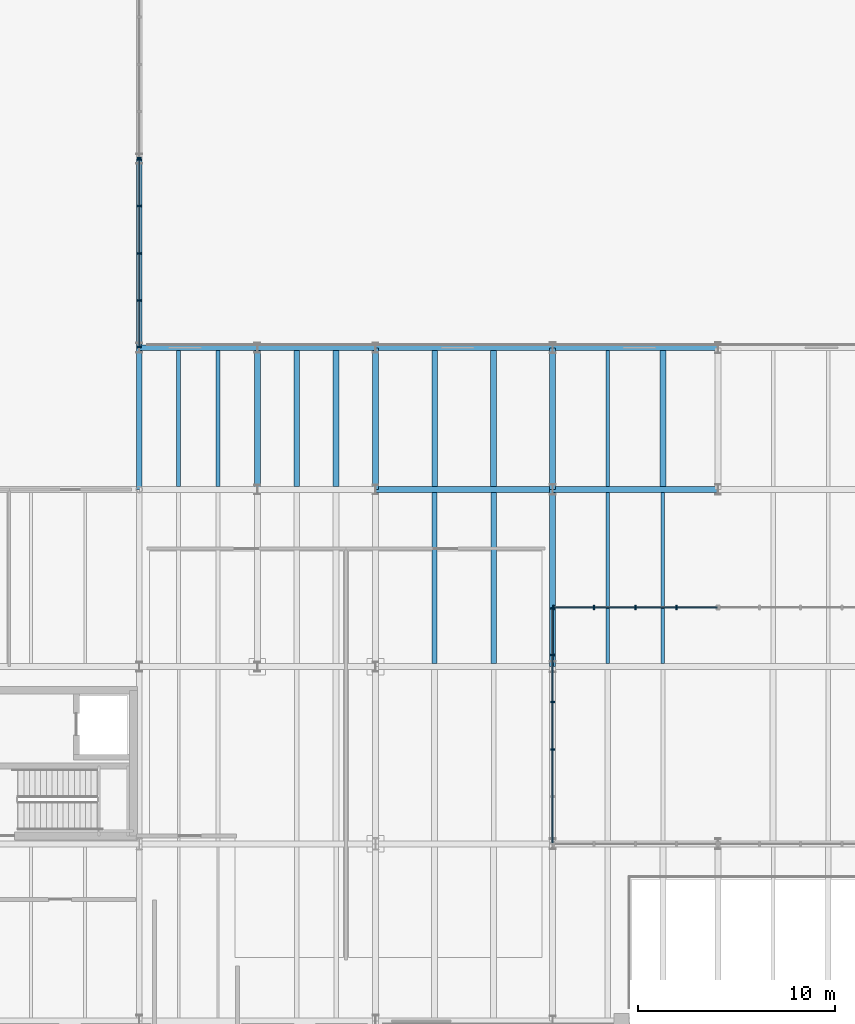
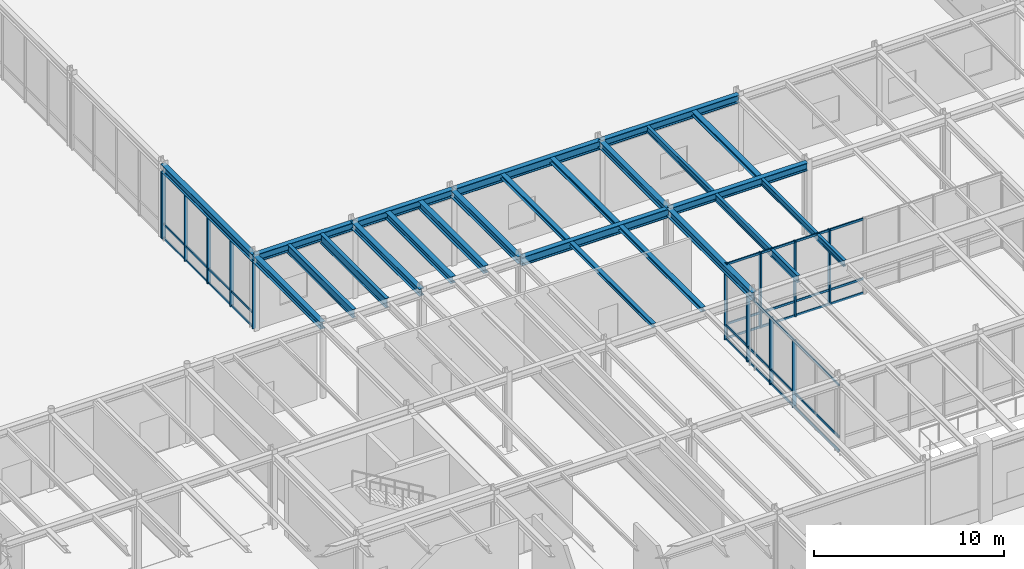
# One storey, part 22 of 64: 24 beams, 23 members, 4 elements without a shape of their own.
"""IFC4 building model written with IfcOpenShell, lengths in metres."""

from ifc_helpers import new_model, si_unit, direction, frame, origin, origin_2d, place, context, subcontext, project, spatial, rectangle, i_section, extrude, material, layer, layer_set, material_profile, profile_set, type_object, element, aggregate, save


model = new_model("IFC4")

# Units and contexts
model_context = context("Model", 3, precision=1e-05, world=origin(), true_north=direction((0.0, 1.0)))
body_context = subcontext(model_context, "Body", "Model", "MODEL_VIEW")
ifc_project = project(units=[si_unit("LENGTHUNIT", "METRE"), si_unit("AREAUNIT", "SQUARE_METRE"), si_unit("VOLUMEUNIT", "CUBIC_METRE"), si_unit("PLANEANGLEUNIT", "RADIAN"), si_unit("MASSUNIT", "GRAM", prefix="KILO")], contexts=[model_context])

# Site, building, storey
site_placement = place(None, origin())
site = spatial("IfcSite", under=ifc_project, at=site_placement, CompositionType="ELEMENT")
building_placement = place(site_placement, origin())
building = spatial("IfcBuilding", under=site, at=building_placement, Name="Montealbar Specialist Clinic", CompositionType="ELEMENT")
storey_placement = place(building_placement, origin())
storey = spatial("IfcBuildingStorey", under=building, at=storey_placement, Name="L00", CompositionType="ELEMENT", Elevation=0.0)

# Beams
ifc_material_1 = material(Name="Steel S355", Category="steel")
ifc_material_profile_1 = material_profile(ifc_material_1, i_section(OverallWidth=0.300048828125, OverallDepth=0.449951171875, WebThickness=0.013916015625, FlangeThickness=0.02587890625, FilletRadius=0.027099609375, at=origin_2d()), Name="HEB 450", Category="steel")
ifc_profile_set_1 = profile_set([ifc_material_profile_1], Name="Steel S355")
beam_type_1 = type_object("IfcBeamType", Name="BM-GIRD-HEB450", PredefinedType="BEAM", material=ifc_profile_set_1)
beam_1_placement = place(storey_placement, frame((120.0, 45.0, 4.5849609375), z_axis=(0.0, 1.0, 0.0), x_axis=(-1.0, 0.0, 0.0)))
element("IfcBeam", 1, at=beam_1_placement, inside=storey, type_object=beam_type_1, Name="Beam GY-L00-1200-450-522", PredefinedType="BEAM", context=body_context, shape_type="SweptSolid", body=[
    extrude(i_section(OverallWidth=0.300048828125, OverallDepth=0.449951171875, WebThickness=0.013916015625, FlangeThickness=0.02587890625, FilletRadius=0.027099609375, at=origin_2d()), origin(), (0.0, 0.0, 1.0), 7.199951171875),
])
ifc_material_profile_2 = material_profile(ifc_material_1, i_section(OverallWidth=0.300048828125, OverallDepth=0.449951171875, WebThickness=0.013916015625, FlangeThickness=0.02587890625, FilletRadius=0.027099609375, at=origin_2d()), Name="HEB 450", Category="steel")
ifc_profile_set_2 = profile_set([ifc_material_profile_2], Name="Steel S355")
beam_type_2 = type_object("IfcBeamType", Name="BM-GIRD-HEB450-EXT", PredefinedType="BEAM", material=ifc_profile_set_2)
for number, where, z_axis, x_axis, name in (
    (2, (99.0, 45.0, 4.5849609375), (0.0, 1.0, 0.0), (-1.0, 0.0, 0.0), "Beam GY-L00-990-450-522"),
    (3, (105.0, 45.0, 4.60498046875), (0.0, 1.0, 0.0), (-1.0, 0.0, 0.0), "Beam GY-L00-1050-450-522"),
    (4, (111.0, 45.0, 4.5849609375), (0.0, 1.0, 0.0), (-1.0, 0.0, 0.0), "Beam GY-L00-1110-450-522"),
):
    element("IfcBeam", number, at=place(storey_placement, frame(where, z_axis=z_axis, x_axis=x_axis)), inside=storey, type_object=beam_type_2, Name=name, PredefinedType="BEAM", context=body_context, shape_type="SweptSolid", body=[
        extrude(i_section(OverallWidth=0.300048828125, OverallDepth=0.449951171875, WebThickness=0.013916015625, FlangeThickness=0.02587890625, FilletRadius=0.027099609375, at=origin_2d()), origin(), (0.0, 0.0, 1.0), 7.199951171875),
    ])
ifc_material_profile_3 = material_profile(ifc_material_1, i_section(OverallWidth=0.300048828125, OverallDepth=0.5, WebThickness=0.014404296875, FlangeThickness=0.028076171875, FilletRadius=0.027099609375, at=origin_2d()), Name="HEB 500", Category="steel")
ifc_profile_set_3 = profile_set([ifc_material_profile_3], Name="Steel S355")
beam_type_3 = type_object("IfcBeamType", Name="BM-GIRD-HEB500", PredefinedType="BEAM", material=ifc_profile_set_3)
beam_2_placement = place(storey_placement, frame((120.0, 45.0, 4.56005859375), z_axis=(1.0, 0.0, 0.0), x_axis=(0.0, 1.0, 0.0)))
element("IfcBeam", 5, at=beam_2_placement, inside=storey, type_object=beam_type_3, Name="Beam GX-L00-1200-1284-450", PredefinedType="BEAM", context=body_context, shape_type="SweptSolid", body=[
    extrude(i_section(OverallWidth=0.300048828125, OverallDepth=0.5, WebThickness=0.014404296875, FlangeThickness=0.028076171875, FilletRadius=0.027099609375, at=origin_2d()), origin(), (0.0, 0.0, 1.0), 8.39990234375),
])
ifc_material_profile_4 = material_profile(ifc_material_1, i_section(OverallWidth=0.300048828125, OverallDepth=0.5, WebThickness=0.014404296875, FlangeThickness=0.028076171875, FilletRadius=0.027099609375, at=origin_2d()), Name="HEB 500", Category="steel")
ifc_profile_set_4 = profile_set([ifc_material_profile_4], Name="Steel S355")
beam_type_4 = type_object("IfcBeamType", Name="BM-GIRD-HEB500-EXT", PredefinedType="BEAM", material=ifc_profile_set_4)
for number, where, z_axis, x_axis, name in (
    (6, (99.0, 52.199951171875, 4.56005859375), (1.0, 0.0, 0.0), (0.0, 1.0, 0.0), "Beam GX-L00-990-1050-522"),
    (7, (105.0, 52.199951171875, 4.56005859375), (1.0, 0.0, 0.0), (0.0, 1.0, 0.0), "Beam GX-L00-1050-1110-522"),
):
    element("IfcBeam", number, at=place(storey_placement, frame(where, z_axis=z_axis, x_axis=x_axis)), inside=storey, type_object=beam_type_4, Name=name, PredefinedType="BEAM", context=body_context, shape_type="SweptSolid", body=[
        extrude(i_section(OverallWidth=0.300048828125, OverallDepth=0.5, WebThickness=0.014404296875, FlangeThickness=0.028076171875, FilletRadius=0.027099609375, at=origin_2d()), origin(), (0.0, 0.0, 1.0), 6.0),
    ])
beam_3_placement = place(storey_placement, frame((120.0, 52.199951171875, 4.56005859375), z_axis=(1.0, 0.0, 0.0), x_axis=(0.0, 1.0, 0.0)))
element("IfcBeam", 8, at=beam_3_placement, inside=storey, type_object=beam_type_4, Name="Beam GX-L00-1200-1284-522", PredefinedType="BEAM", context=body_context, shape_type="SweptSolid", body=[
    extrude(i_section(OverallWidth=0.300048828125, OverallDepth=0.5, WebThickness=0.014404296875, FlangeThickness=0.028076171875, FilletRadius=0.027099609375, at=origin_2d()), origin(), (0.0, 0.0, 1.0), 8.39990234375),
])
beam_4_placement = place(storey_placement, frame((99.0, 52.199951171875, 4.56005859375), z_axis=(0.0, 1.0, 0.0), x_axis=(-1.0, 0.0, 0.0)))
element("IfcBeam", 9, at=beam_4_placement, inside=storey, type_object=beam_type_4, Name="Beam GY-L00-990-522-618", PredefinedType="BEAM", context=body_context, shape_type="SweptSolid", body=[
    extrude(i_section(OverallWidth=0.300048828125, OverallDepth=0.5, WebThickness=0.014404296875, FlangeThickness=0.028076171875, FilletRadius=0.027099609375, at=origin_2d()), origin(), (0.0, 0.0, 1.0), 9.60009765625),
])
beam_5_placement = place(storey_placement, frame((120.0, 36.0, 4.56005859375), z_axis=(0.0, 1.0, 0.0), x_axis=(-1.0, 0.0, 0.0)))
element("IfcBeam", 10, at=beam_5_placement, inside=storey, type_object=beam_type_4, Name="Beam GY-L00-1200-360-450", PredefinedType="BEAM", context=body_context, shape_type="SweptSolid", body=[
    extrude(i_section(OverallWidth=0.300048828125, OverallDepth=0.5, WebThickness=0.014404296875, FlangeThickness=0.028076171875, FilletRadius=0.027099609375, at=origin_2d()), origin(), (0.0, 0.0, 1.0), 9.0),
])
ifc_material_profile_5 = material_profile(ifc_material_1, i_section(OverallWidth=0.300048828125, OverallDepth=0.550048828125, WebThickness=0.014892578125, FlangeThickness=0.029052734375, FilletRadius=0.027099609375, at=origin_2d()), Name="HEB 550", Category="steel")
ifc_profile_set_5 = profile_set([ifc_material_profile_5], Name="Steel S355")
beam_type_5 = type_object("IfcBeamType", Name="BM-GIRD-HEB550", PredefinedType="BEAM", material=ifc_profile_set_5)
beam_6_placement = place(storey_placement, frame((111.0, 45.0, 4.534912109375), z_axis=(1.0, 0.0, 0.0), x_axis=(0.0, 1.0, 0.0)))
element("IfcBeam", 11, at=beam_6_placement, inside=storey, type_object=beam_type_5, Name="Beam GX-L00-1110-1200-450", PredefinedType="BEAM", context=body_context, shape_type="SweptSolid", body=[
    extrude(i_section(OverallWidth=0.300048828125, OverallDepth=0.550048828125, WebThickness=0.014892578125, FlangeThickness=0.029052734375, FilletRadius=0.027099609375, at=origin_2d()), origin(), (0.0, 0.0, 1.0), 9.0),
])
ifc_material_profile_6 = material_profile(ifc_material_1, i_section(OverallWidth=0.300048828125, OverallDepth=0.550048828125, WebThickness=0.014892578125, FlangeThickness=0.029052734375, FilletRadius=0.027099609375, at=origin_2d()), Name="HEB 550", Category="steel")
ifc_profile_set_6 = profile_set([ifc_material_profile_6], Name="Steel S355")
beam_type_6 = type_object("IfcBeamType", Name="BM-GIRD-HEB550-EXT", PredefinedType="BEAM", material=ifc_profile_set_6)
beam_7_placement = place(storey_placement, frame((111.0, 52.199951171875, 4.534912109375), z_axis=(1.0, 0.0, 0.0), x_axis=(0.0, 1.0, 0.0)))
element("IfcBeam", 12, at=beam_7_placement, inside=storey, type_object=beam_type_6, Name="Beam GX-L00-1110-1200-522", PredefinedType="BEAM", context=body_context, shape_type="SweptSolid", body=[
    extrude(i_section(OverallWidth=0.300048828125, OverallDepth=0.550048828125, WebThickness=0.014892578125, FlangeThickness=0.029052734375, FilletRadius=0.027099609375, at=origin_2d()), origin(), (0.0, 0.0, 1.0), 9.0),
])
ifc_material_profile_7 = material_profile(ifc_material_1, i_section(OverallWidth=0.300048828125, OverallDepth=0.43994140625, WebThickness=0.011474609375, FlangeThickness=0.02099609375, FilletRadius=0.027099609375, at=origin_2d()), Name="HEA 450", Category="steel")
ifc_profile_set_7 = profile_set([ifc_material_profile_7], Name="Steel S355")
beam_type_7 = type_object("IfcBeamType", Name="BM-JST-HEA450", PredefinedType="JOIST", material=ifc_profile_set_7)
beam_8_placement = place(storey_placement, frame((107.0, 45.14990234375, 4.610107421875), z_axis=(0.0, 1.0, 0.0), x_axis=(-1.0, 0.0, 0.0)))
element("IfcBeam", 13, at=beam_8_placement, inside=storey, type_object=beam_type_7, Name="Beam JST-L00-1070-452-520", PredefinedType="JOIST", context=body_context, shape_type="SweptSolid", body=[
    extrude(i_section(OverallWidth=0.300048828125, OverallDepth=0.43994140625, WebThickness=0.011474609375, FlangeThickness=0.02099609375, FilletRadius=0.027099609375, at=origin_2d()), origin(), (0.0, 0.0, 1.0), 6.900146484375),
])
ifc_material_profile_8 = material_profile(ifc_material_1, i_section(OverallWidth=0.300048828125, OverallDepth=0.489990234375, WebThickness=0.011962890625, FlangeThickness=0.02294921875, FilletRadius=0.027099609375, at=origin_2d()), Name="HEA 500", Category="steel")
ifc_profile_set_8 = profile_set([ifc_material_profile_8], Name="Steel S355")
beam_type_8 = type_object("IfcBeamType", Name="BM-JST-HEA500", PredefinedType="JOIST", material=ifc_profile_set_8)
beam_9_placement = place(storey_placement, frame((109.0, 45.14990234375, 4.5849609375), z_axis=(0.0, 1.0, 0.0), x_axis=(-1.0, 0.0, 0.0)))
element("IfcBeam", 14, at=beam_9_placement, inside=storey, type_object=beam_type_8, Name="Beam JST-L00-1090-452-520", PredefinedType="JOIST", context=body_context, shape_type="SweptSolid", body=[
    extrude(i_section(OverallWidth=0.300048828125, OverallDepth=0.489990234375, WebThickness=0.011962890625, FlangeThickness=0.02294921875, FilletRadius=0.027099609375, at=origin_2d()), origin(), (0.0, 0.0, 1.0), 6.900146484375),
])
ifc_material_profile_9 = material_profile(ifc_material_1, i_section(OverallWidth=0.239990234375, OverallDepth=0.239990234375, WebThickness=0.010009765625, FlangeThickness=0.01708984375, FilletRadius=0.02099609375, at=origin_2d()), Name="HEB 240", Category="steel")
ifc_profile_set_9 = profile_set([ifc_material_profile_9], Name="Steel S355")
beam_type_9 = type_object("IfcBeamType", Name="BM-JST-HEB240", PredefinedType="JOIST", material=ifc_profile_set_9)
beam_10_placement = place(storey_placement, frame((114.0, 36.14990234375, 4.68994140625), z_axis=(0.0, 1.0, 0.0), x_axis=(-1.0, 0.0, 0.0)))
element("IfcBeam", 15, at=beam_10_placement, inside=storey, type_object=beam_type_9, Name="Beam JST-L00-1140-362-448", PredefinedType="JOIST", context=body_context, shape_type="SweptSolid", body=[
    extrude(i_section(OverallWidth=0.239990234375, OverallDepth=0.239990234375, WebThickness=0.010009765625, FlangeThickness=0.01708984375, FilletRadius=0.02099609375, at=origin_2d()), origin(), (0.0, 0.0, 1.0), 8.7001953125),
])
ifc_material_profile_10 = material_profile(ifc_material_1, i_section(OverallWidth=0.280029296875, OverallDepth=0.280029296875, WebThickness=0.010498046875, FlangeThickness=0.01806640625, FilletRadius=0.02392578125, at=origin_2d()), Name="HEB 280", Category="steel")
ifc_profile_set_10 = profile_set([ifc_material_profile_10], Name="Steel S355")
beam_type_10 = type_object("IfcBeamType", Name="BM-JST-HEB280", PredefinedType="JOIST", material=ifc_profile_set_10)
beam_11_placement = place(storey_placement, frame((117.0, 36.14990234375, 4.669921875), z_axis=(0.0, 1.0, 0.0), x_axis=(-1.0, 0.0, 0.0)))
element("IfcBeam", 16, at=beam_11_placement, inside=storey, type_object=beam_type_10, Name="Beam JST-L00-1170-362-448", PredefinedType="JOIST", context=body_context, shape_type="SweptSolid", body=[
    extrude(i_section(OverallWidth=0.280029296875, OverallDepth=0.280029296875, WebThickness=0.010498046875, FlangeThickness=0.01806640625, FilletRadius=0.02392578125, at=origin_2d()), origin(), (0.0, 0.0, 1.0), 8.7001953125),
])
beam_12_placement = place(storey_placement, frame((114.0, 45.14990234375, 4.669921875), z_axis=(0.0, 1.0, 0.0), x_axis=(-1.0, 0.0, 0.0)))
element("IfcBeam", 17, at=beam_12_placement, inside=storey, type_object=beam_type_10, Name="Beam JST-L00-1140-452-520", PredefinedType="JOIST", context=body_context, shape_type="SweptSolid", body=[
    extrude(i_section(OverallWidth=0.280029296875, OverallDepth=0.280029296875, WebThickness=0.010498046875, FlangeThickness=0.01806640625, FilletRadius=0.02392578125, at=origin_2d()), origin(), (0.0, 0.0, 1.0), 6.900146484375),
])
ifc_material_profile_11 = material_profile(ifc_material_1, i_section(OverallWidth=0.300048828125, OverallDepth=0.320068359375, WebThickness=0.011474609375, FlangeThickness=0.0205078125, FilletRadius=0.027099609375, at=origin_2d()), Name="HEB 320", Category="steel")
ifc_profile_set_11 = profile_set([ifc_material_profile_11], Name="Steel S355")
beam_type_11 = type_object("IfcBeamType", Name="BM-JST-HEB320", PredefinedType="JOIST", material=ifc_profile_set_11)
beam_13_placement = place(storey_placement, frame((117.0, 45.14990234375, 4.64990234375), z_axis=(0.0, 1.0, 0.0), x_axis=(-1.0, 0.0, 0.0)))
element("IfcBeam", 18, at=beam_13_placement, inside=storey, type_object=beam_type_11, Name="Beam JST-L00-1170-452-520", PredefinedType="JOIST", context=body_context, shape_type="SweptSolid", body=[
    extrude(i_section(OverallWidth=0.300048828125, OverallDepth=0.320068359375, WebThickness=0.011474609375, FlangeThickness=0.0205078125, FilletRadius=0.027099609375, at=origin_2d()), origin(), (0.0, 0.0, 1.0), 6.900146484375),
])
ifc_material_profile_12 = material_profile(ifc_material_1, i_section(OverallWidth=0.2099609375, OverallDepth=0.550048828125, WebThickness=0.010986328125, FlangeThickness=0.01708984375, FilletRadius=0.02392578125, at=origin_2d()), Name="IPE 550", Category="steel")
ifc_profile_set_12 = profile_set([ifc_material_profile_12], Name="Steel S355")
beam_type_12 = type_object("IfcBeamType", Name="BM-JST-IPE550", PredefinedType="JOIST", material=ifc_profile_set_12)
beam_14_placement = place(storey_placement, frame((101.0, 45.14990234375, 4.554931640625), z_axis=(0.0, 1.0, 0.0), x_axis=(-1.0, 0.0, 0.0)))
element("IfcBeam", 19, at=beam_14_placement, inside=storey, type_object=beam_type_12, Name="Beam JST-L00-1010-452-520", PredefinedType="JOIST", context=body_context, shape_type="SweptSolid", body=[
    extrude(i_section(OverallWidth=0.2099609375, OverallDepth=0.550048828125, WebThickness=0.010986328125, FlangeThickness=0.01708984375, FilletRadius=0.02392578125, at=origin_2d()), origin(), (0.0, 0.0, 1.0), 6.900146484375),
])
ifc_material_profile_13 = material_profile(ifc_material_1, i_section(OverallWidth=0.219970703125, OverallDepth=0.60009765625, WebThickness=0.011962890625, FlangeThickness=0.01904296875, FilletRadius=0.02392578125, at=origin_2d()), Name="IPE 600", Category="steel")
ifc_profile_set_13 = profile_set([ifc_material_profile_13], Name="Steel S355")
beam_type_13 = type_object("IfcBeamType", Name="BM-JST-IPE600", PredefinedType="JOIST", material=ifc_profile_set_13)
beam_15_placement = place(storey_placement, frame((103.0, 45.14990234375, 4.530029296875), z_axis=(0.0, 1.0, 0.0), x_axis=(-1.0, 0.0, 0.0)))
element("IfcBeam", 20, at=beam_15_placement, inside=storey, type_object=beam_type_13, Name="Beam JST-L00-1030-452-520", PredefinedType="JOIST", context=body_context, shape_type="SweptSolid", body=[
    extrude(i_section(OverallWidth=0.219970703125, OverallDepth=0.60009765625, WebThickness=0.011962890625, FlangeThickness=0.01904296875, FilletRadius=0.02392578125, at=origin_2d()), origin(), (0.0, 0.0, 1.0), 6.900146484375),
])
ifc_material_profile_14 = material_profile(ifc_material_1, i_section(OverallWidth=0.179931640625, OverallDepth=0.39990234375, WebThickness=0.008544921875, FlangeThickness=0.013427734375, FilletRadius=0.02099609375, at=origin_2d()), Name="IPE 400", Category="steel")
ifc_profile_set_14 = profile_set([ifc_material_profile_14], Name="Steel S355")
beam_type_14 = type_object("IfcBeamType", Name="BM-SEC-IPE400", PredefinedType="BEAM", material=ifc_profile_set_14)
beam_16_placement = place(storey_placement, frame((125.60009765625, 36.15087890625, 4.610107421875), z_axis=(0.0, 1.0, 0.0), x_axis=(-1.0, 0.0, 0.0)))
element("IfcBeam", 21, at=beam_16_placement, inside=storey, type_object=beam_type_14, Name="Beam JST-L00-1256-362-448", PredefinedType="BEAM", context=body_context, shape_type="SweptSolid", body=[
    extrude(i_section(OverallWidth=0.179931640625, OverallDepth=0.39990234375, WebThickness=0.008544921875, FlangeThickness=0.013427734375, FilletRadius=0.02099609375, at=origin_2d()), origin(), (0.0, 0.0, 1.0), 8.69921875),
])
beam_17_placement = place(storey_placement, frame((122.800048828125, 45.14990234375, 4.610107421875), z_axis=(0.0, 1.0, 0.0), x_axis=(-1.0, 0.0, 0.0)))
element("IfcBeam", 22, at=beam_17_placement, inside=storey, type_object=beam_type_14, Name="Beam JST-L00-1228-452-520", PredefinedType="BEAM", context=body_context, shape_type="SweptSolid", body=[
    extrude(i_section(OverallWidth=0.179931640625, OverallDepth=0.39990234375, WebThickness=0.008544921875, FlangeThickness=0.013427734375, FilletRadius=0.02099609375, at=origin_2d()), origin(), (0.0, 0.0, 1.0), 6.900146484375),
])
ifc_material_profile_15 = material_profile(ifc_material_1, i_section(OverallWidth=0.18994140625, OverallDepth=0.449951171875, WebThickness=0.009521484375, FlangeThickness=0.0146484375, FilletRadius=0.02099609375, at=origin_2d()), Name="IPE 450", Category="steel")
ifc_profile_set_15 = profile_set([ifc_material_profile_15], Name="Steel S355")
beam_type_15 = type_object("IfcBeamType", Name="BM-SEC-IPE450", PredefinedType="BEAM", material=ifc_profile_set_15)
beam_18_placement = place(storey_placement, frame((122.800048828125, 36.15087890625, 4.5849609375), z_axis=(0.0, 1.0, 0.0), x_axis=(-1.0, 0.0, 0.0)))
element("IfcBeam", 23, at=beam_18_placement, inside=storey, type_object=beam_type_15, Name="Beam JST-L00-1228-362-448", PredefinedType="BEAM", context=body_context, shape_type="SweptSolid", body=[
    extrude(i_section(OverallWidth=0.18994140625, OverallDepth=0.449951171875, WebThickness=0.009521484375, FlangeThickness=0.0146484375, FilletRadius=0.02099609375, at=origin_2d()), origin(), (0.0, 0.0, 1.0), 8.69921875),
])
ifc_material_profile_16 = material_profile(ifc_material_1, i_section(OverallWidth=0.300048828125, OverallDepth=0.2900390625, WebThickness=0.008544921875, FlangeThickness=0.013916015625, FilletRadius=0.027099609375, at=origin_2d()), Name="HEA 300", Category="steel")
ifc_profile_set_16 = profile_set([ifc_material_profile_16], Name="Steel S355")
beam_type_16 = type_object("IfcBeamType", Name="BM-SPAND-HEA300", PredefinedType="SPANDREL", material=ifc_profile_set_16)
beam_19_placement = place(storey_placement, frame((125.60009765625, 45.14990234375, 4.6650390625), z_axis=(0.0, 1.0, 0.0), x_axis=(-1.0, 0.0, 0.0)))
element("IfcBeam", 24, at=beam_19_placement, inside=storey, type_object=beam_type_16, Name="Beam JST-L00-1256-452-520", PredefinedType="SPANDREL", context=body_context, shape_type="SweptSolid", body=[
    extrude(i_section(OverallWidth=0.300048828125, OverallDepth=0.2900390625, WebThickness=0.008544921875, FlangeThickness=0.013916015625, FilletRadius=0.027099609375, at=origin_2d()), origin(), (0.0, 0.0, 1.0), 6.900146484375),
])

# Curtain wall, member
ifc_material_2 = material(Name="Low-E double glazing", Category="glass")
ifc_layer_1 = layer(ifc_material_2, 0.199951171875, Name="Low-E double glazing", Category="glass")
ifc_layer_set_1 = layer_set([ifc_layer_1], Name="Low-E double glazing")
curtain_wall_type_1 = type_object("IfcCurtainWallType", Name="CW-TYPE-03", PredefinedType="NOTDEFINED", material=ifc_layer_set_1)
curtain_wall_1_placement = place(storey_placement, origin())
curtain_wall_1 = element("IfcCurtainWall", 25, at=curtain_wall_1_placement, inside=storey, type_object=curtain_wall_type_1, Name="Unitised Curtain Wall CW-L00-990-714-990-618-0", PredefinedType="NOTDEFINED")
ifc_material_3 = material(Name="Anodised aluminium EN AW-6063", Category="aluminium")
ifc_material_profile_17 = material_profile(ifc_material_3, rectangle(XDim=0.080078125, YDim=0.219970703125, at=origin_2d()), Name="ALU 80x220", Category="aluminium")
ifc_profile_set_17 = profile_set([ifc_material_profile_17], Name="Anodised aluminium EN AW-6063")
member_type_1 = type_object("IfcMemberType", Name="CW-MUL-220", PredefinedType="MULLION", material=ifc_profile_set_17)
member_1_placement = place(storey_placement, frame((99.0, 61.844970703125, 0.0), z_axis=(0.0, 0.0, 1.0), x_axis=(0.0, -1.0, 0.0)))
member_1 = element("IfcMember", 26, at=member_1_placement, type_object=member_type_1, Name="Curtain Wall Mullion CW-L00-990-714-990-618-0-04", PredefinedType="MULLION", context=body_context, shape_type="SweptSolid", body=[
    extrude(rectangle(XDim=0.080078125, YDim=0.219970703125, at=origin_2d()), origin(), (0.0, 0.0, 1.0), 4.31005859375),
])
aggregate(curtain_wall_1, [member_1])

# Curtain wall, members
curtain_wall_2_placement = place(storey_placement, origin())
curtain_wall_2 = element("IfcCurtainWall", 27, at=curtain_wall_2_placement, inside=storey, type_object=curtain_wall_type_1, Name="Unitised Curtain Wall CW-L00-990-618-990-522-0", PredefinedType="NOTDEFINED")
member_2_placement = place(storey_placement, frame((99.0, 61.7548828125, 0.0), z_axis=(0.0, 0.0, 1.0), x_axis=(0.0, -1.0, 0.0)))
member_2 = element("IfcMember", 28, at=member_2_placement, type_object=member_type_1, Name="Curtain Wall Mullion CW-L00-990-618-990-522-0-00", PredefinedType="MULLION", context=body_context, shape_type="SweptSolid", body=[
    extrude(rectangle(XDim=0.080078125, YDim=0.219970703125, at=origin_2d()), origin(), (0.0, 0.0, 1.0), 4.31005859375),
])
member_3_placement = place(storey_placement, frame((99.0, 59.39990234375, 0.0), z_axis=(0.0, 0.0, 1.0), x_axis=(0.0, -1.0, 0.0)))
member_3 = element("IfcMember", 29, at=member_3_placement, type_object=member_type_1, Name="Curtain Wall Mullion CW-L00-990-618-990-522-0-01", PredefinedType="MULLION", context=body_context, shape_type="SweptSolid", body=[
    extrude(rectangle(XDim=0.080078125, YDim=0.219970703125, at=origin_2d()), origin(), (0.0, 0.0, 1.0), 4.31005859375),
])
member_4_placement = place(storey_placement, frame((99.0, 57.0, 0.0), z_axis=(0.0, 0.0, 1.0), x_axis=(0.0, -1.0, 0.0)))
member_4 = element("IfcMember", 30, at=member_4_placement, type_object=member_type_1, Name="Curtain Wall Mullion CW-L00-990-618-990-522-0-02", PredefinedType="MULLION", context=body_context, shape_type="SweptSolid", body=[
    extrude(rectangle(XDim=0.080078125, YDim=0.219970703125, at=origin_2d()), origin(), (0.0, 0.0, 1.0), 4.31005859375),
])
member_5_placement = place(storey_placement, frame((99.0, 54.60009765625, 0.0), z_axis=(0.0, 0.0, 1.0), x_axis=(0.0, -1.0, 0.0)))
member_5 = element("IfcMember", 31, at=member_5_placement, type_object=member_type_1, Name="Curtain Wall Mullion CW-L00-990-618-990-522-0-03", PredefinedType="MULLION", context=body_context, shape_type="SweptSolid", body=[
    extrude(rectangle(XDim=0.080078125, YDim=0.219970703125, at=origin_2d()), origin(), (0.0, 0.0, 1.0), 4.31005859375),
])
member_6_placement = place(storey_placement, frame((99.0, 52.2451171875, 0.0), z_axis=(0.0, 0.0, 1.0), x_axis=(0.0, -1.0, 0.0)))
member_6 = element("IfcMember", 32, at=member_6_placement, type_object=member_type_1, Name="Curtain Wall Mullion CW-L00-990-618-990-522-0-04", PredefinedType="MULLION", context=body_context, shape_type="SweptSolid", body=[
    extrude(rectangle(XDim=0.080078125, YDim=0.219970703125, at=origin_2d()), origin(), (0.0, 0.0, 1.0), 4.31005859375),
])

ifc_layer_2 = layer(ifc_material_2, 0.199951171875, Name="Low-E double glazing", Category="glass")
ifc_layer_set_2 = layer_set([ifc_layer_2], Name="Low-E double glazing")
curtain_wall_type_2 = type_object("IfcCurtainWallType", Name="CW-TYPE-04", PredefinedType="NOTDEFINED", material=ifc_layer_set_2)
curtain_wall_3_placement = place(storey_placement, origin())
curtain_wall_3 = element("IfcCurtainWall", 33, at=curtain_wall_3_placement, inside=storey, type_object=curtain_wall_type_2, Name="Unitised Curtain Wall CW-L00-1200-390-1200-270-0", PredefinedType="NOTDEFINED")
member_7_placement = place(storey_placement, frame((120.0, 38.955078125, 0.0), z_axis=(0.0, 0.0, 1.0), x_axis=(0.0, -1.0, 0.0)))
member_7 = element("IfcMember", 34, at=member_7_placement, type_object=member_type_1, Name="Curtain Wall Mullion CW-L00-1200-390-1200-270-0-00", PredefinedType="MULLION", context=body_context, shape_type="SweptSolid", body=[
    extrude(rectangle(XDim=0.080078125, YDim=0.219970703125, at=origin_2d()), origin(), (0.0, 0.0, 1.0), 4.31005859375),
])
member_8_placement = place(storey_placement, frame((120.0, 36.60009765625, 0.0), z_axis=(0.0, 0.0, 1.0), x_axis=(0.0, -1.0, 0.0)))
member_8 = element("IfcMember", 35, at=member_8_placement, type_object=member_type_1, Name="Curtain Wall Mullion CW-L00-1200-390-1200-270-0-01", PredefinedType="MULLION", context=body_context, shape_type="SweptSolid", body=[
    extrude(rectangle(XDim=0.080078125, YDim=0.219970703125, at=origin_2d()), origin(), (0.0, 0.0, 1.0), 4.31005859375),
])
member_9_placement = place(storey_placement, frame((120.0, 34.199951171875, 0.0), z_axis=(0.0, 0.0, 1.0), x_axis=(0.0, -1.0, 0.0)))
member_9 = element("IfcMember", 36, at=member_9_placement, type_object=member_type_1, Name="Curtain Wall Mullion CW-L00-1200-390-1200-270-0-02", PredefinedType="MULLION", context=body_context, shape_type="SweptSolid", body=[
    extrude(rectangle(XDim=0.080078125, YDim=0.219970703125, at=origin_2d()), origin(), (0.0, 0.0, 1.0), 4.31005859375),
])
member_10_placement = place(storey_placement, frame((120.0, 31.800048828125, 0.0), z_axis=(0.0, 0.0, 1.0), x_axis=(0.0, -1.0, 0.0)))
member_10 = element("IfcMember", 37, at=member_10_placement, type_object=member_type_1, Name="Curtain Wall Mullion CW-L00-1200-390-1200-270-0-03", PredefinedType="MULLION", context=body_context, shape_type="SweptSolid", body=[
    extrude(rectangle(XDim=0.080078125, YDim=0.219970703125, at=origin_2d()), origin(), (0.0, 0.0, 1.0), 4.31005859375),
])

ifc_layer_3 = layer(ifc_material_2, 0.199951171875, Name="Low-E double glazing", Category="glass")
ifc_layer_set_3 = layer_set([ifc_layer_3], Name="Low-E double glazing")
curtain_wall_type_3 = type_object("IfcCurtainWallType", Name="CW-TYPE-06", PredefinedType="NOTDEFINED", material=ifc_layer_set_3)
curtain_wall_4_placement = place(storey_placement, origin())
curtain_wall_4 = element("IfcCurtainWall", 38, at=curtain_wall_4_placement, inside=storey, type_object=curtain_wall_type_3, Name="Unitised Curtain Wall CW-L00-1284-390-1200-390-0", PredefinedType="NOTDEFINED")
member_11_placement = place(storey_placement, frame((126.300048828125, 39.0, 0.0), z_axis=(0.0, 0.0, 1.0), x_axis=(-1.0, 0.0, 0.0)))
member_11 = element("IfcMember", 39, at=member_11_placement, type_object=member_type_1, Name="Curtain Wall Mullion CW-L00-1284-390-1200-390-0-01", PredefinedType="MULLION", context=body_context, shape_type="SweptSolid", body=[
    extrude(rectangle(XDim=0.080078125, YDim=0.219970703125, at=origin_2d()), origin(), (0.0, 0.0, 1.0), 4.820068359375),
])
member_12_placement = place(storey_placement, frame((124.199951171875, 39.0, 0.0), z_axis=(0.0, 0.0, 1.0), x_axis=(-1.0, 0.0, 0.0)))
member_12 = element("IfcMember", 40, at=member_12_placement, type_object=member_type_1, Name="Curtain Wall Mullion CW-L00-1284-390-1200-390-0-02", PredefinedType="MULLION", context=body_context, shape_type="SweptSolid", body=[
    extrude(rectangle(XDim=0.080078125, YDim=0.219970703125, at=origin_2d()), origin(), (0.0, 0.0, 1.0), 4.820068359375),
])
member_13_placement = place(storey_placement, frame((122.10009765625, 39.0, 0.0), z_axis=(0.0, 0.0, 1.0), x_axis=(-1.0, 0.0, 0.0)))
member_13 = element("IfcMember", 41, at=member_13_placement, type_object=member_type_1, Name="Curtain Wall Mullion CW-L00-1284-390-1200-390-0-03", PredefinedType="MULLION", context=body_context, shape_type="SweptSolid", body=[
    extrude(rectangle(XDim=0.080078125, YDim=0.219970703125, at=origin_2d()), origin(), (0.0, 0.0, 1.0), 4.820068359375),
])
member_14_placement = place(storey_placement, frame((120.044921875, 39.0, 0.0), z_axis=(0.0, 0.0, 1.0), x_axis=(-1.0, 0.0, 0.0)))
member_14 = element("IfcMember", 42, at=member_14_placement, type_object=member_type_1, Name="Curtain Wall Mullion CW-L00-1284-390-1200-390-0-04", PredefinedType="MULLION", context=body_context, shape_type="SweptSolid", body=[
    extrude(rectangle(XDim=0.080078125, YDim=0.219970703125, at=origin_2d()), origin(), (0.0, 0.0, 1.0), 4.820068359375),
])

# Member
ifc_material_4 = material(Name="Powder-coated aluminium", Category="aluminium")
ifc_material_profile_18 = material_profile(ifc_material_4, rectangle(XDim=0.070068359375, YDim=0.139892578125, at=origin_2d()), Name="ALU 70x140", Category="aluminium")
ifc_profile_set_18 = profile_set([ifc_material_profile_18], Name="Powder-coated aluminium")
member_type_2 = type_object("IfcMemberType", Name="CW-TRN-140", PredefinedType="USERDEFINED", material=ifc_profile_set_18)
member_15_placement = place(storey_placement, frame((99.0, 61.75, 0.0400390625), z_axis=(0.0, -1.0, 0.0), x_axis=(1.0, 0.0, 0.0)))
member_15 = element("IfcMember", 43, at=member_15_placement, type_object=member_type_2, Name="Curtain Wall Transom CW-L00-990-618-990-522-0-00", ObjectType="TRANSOM", PredefinedType="USERDEFINED", context=body_context, shape_type="SweptSolid", body=[
    extrude(rectangle(XDim=0.070068359375, YDim=0.139892578125, at=origin_2d()), origin(), (0.0, 0.0, 1.0), 9.5),
])

member_16_placement = place(storey_placement, frame((99.0, 61.75, 0.949951171875), z_axis=(0.0, -1.0, 0.0), x_axis=(1.0, 0.0, 0.0)))
member_16 = element("IfcMember", 44, at=member_16_placement, type_object=member_type_2, Name="Curtain Wall Transom CW-L00-990-618-990-522-0-01", ObjectType="TRANSOM", PredefinedType="USERDEFINED", context=body_context, shape_type="SweptSolid", body=[
    extrude(rectangle(XDim=0.070068359375, YDim=0.139892578125, at=origin_2d()), origin(), (0.0, 0.0, 1.0), 9.5),
])

member_17_placement = place(storey_placement, frame((99.0, 61.75, 4.27001953125), z_axis=(0.0, -1.0, 0.0), x_axis=(1.0, 0.0, 0.0)))
member_17 = element("IfcMember", 45, at=member_17_placement, type_object=member_type_2, Name="Curtain Wall Transom CW-L00-990-618-990-522-0-02", ObjectType="TRANSOM", PredefinedType="USERDEFINED", context=body_context, shape_type="SweptSolid", body=[
    extrude(rectangle(XDim=0.070068359375, YDim=0.139892578125, at=origin_2d()), origin(), (0.0, 0.0, 1.0), 9.5),
])

aggregate(curtain_wall_2, [member_2, member_3, member_4, member_5, member_6, member_15, member_16, member_17])

member_18_placement = place(storey_placement, frame((120.0, 38.949951171875, 0.0400390625), z_axis=(0.0, -1.0, 0.0), x_axis=(1.0, 0.0, 0.0)))
member_18 = element("IfcMember", 46, at=member_18_placement, type_object=member_type_2, Name="Curtain Wall Transom CW-L00-1200-390-1200-270-0-00", ObjectType="TRANSOM", PredefinedType="USERDEFINED", context=body_context, shape_type="SweptSolid", body=[
    extrude(rectangle(XDim=0.070068359375, YDim=0.139892578125, at=origin_2d()), origin(), (0.0, 0.0, 1.0), 11.89990234375),
])

member_19_placement = place(storey_placement, frame((120.0, 38.949951171875, 0.949951171875), z_axis=(0.0, -1.0, 0.0), x_axis=(1.0, 0.0, 0.0)))
member_19 = element("IfcMember", 47, at=member_19_placement, type_object=member_type_2, Name="Curtain Wall Transom CW-L00-1200-390-1200-270-0-01", ObjectType="TRANSOM", PredefinedType="USERDEFINED", context=body_context, shape_type="SweptSolid", body=[
    extrude(rectangle(XDim=0.070068359375, YDim=0.139892578125, at=origin_2d()), origin(), (0.0, 0.0, 1.0), 11.89990234375),
])

member_20_placement = place(storey_placement, frame((120.0, 38.949951171875, 4.27001953125), z_axis=(0.0, -1.0, 0.0), x_axis=(1.0, 0.0, 0.0)))
member_20 = element("IfcMember", 48, at=member_20_placement, type_object=member_type_2, Name="Curtain Wall Transom CW-L00-1200-390-1200-270-0-02", ObjectType="TRANSOM", PredefinedType="USERDEFINED", context=body_context, shape_type="SweptSolid", body=[
    extrude(rectangle(XDim=0.070068359375, YDim=0.139892578125, at=origin_2d()), origin(), (0.0, 0.0, 1.0), 11.89990234375),
])

aggregate(curtain_wall_3, [member_7, member_8, member_9, member_10, member_18, member_19, member_20])

member_21_placement = place(storey_placement, frame((128.35009765625, 39.0, 0.0400390625), z_axis=(-1.0, 0.0, 0.0), x_axis=(0.0, -1.0, 0.0)))
member_21 = element("IfcMember", 49, at=member_21_placement, type_object=member_type_2, Name="Curtain Wall Transom CW-L00-1284-390-1200-390-0-00", ObjectType="TRANSOM", PredefinedType="USERDEFINED", context=body_context, shape_type="SweptSolid", body=[
    extrude(rectangle(XDim=0.070068359375, YDim=0.139892578125, at=origin_2d()), origin(), (0.0, 0.0, 1.0), 8.300048828125),
])

member_22_placement = place(storey_placement, frame((128.35009765625, 39.0, 0.949951171875), z_axis=(-1.0, 0.0, 0.0), x_axis=(0.0, -1.0, 0.0)))
member_22 = element("IfcMember", 50, at=member_22_placement, type_object=member_type_2, Name="Curtain Wall Transom CW-L00-1284-390-1200-390-0-01", ObjectType="TRANSOM", PredefinedType="USERDEFINED", context=body_context, shape_type="SweptSolid", body=[
    extrude(rectangle(XDim=0.070068359375, YDim=0.139892578125, at=origin_2d()), origin(), (0.0, 0.0, 1.0), 8.300048828125),
])

member_23_placement = place(storey_placement, frame((128.35009765625, 39.0, 4.780029296875), z_axis=(-1.0, 0.0, 0.0), x_axis=(0.0, -1.0, 0.0)))
member_23 = element("IfcMember", 51, at=member_23_placement, type_object=member_type_2, Name="Curtain Wall Transom CW-L00-1284-390-1200-390-0-02", ObjectType="TRANSOM", PredefinedType="USERDEFINED", context=body_context, shape_type="SweptSolid", body=[
    extrude(rectangle(XDim=0.070068359375, YDim=0.139892578125, at=origin_2d()), origin(), (0.0, 0.0, 1.0), 8.300048828125),
])

aggregate(curtain_wall_4, [member_11, member_12, member_13, member_14, member_21, member_22, member_23])

save(model, "model.ifc")
